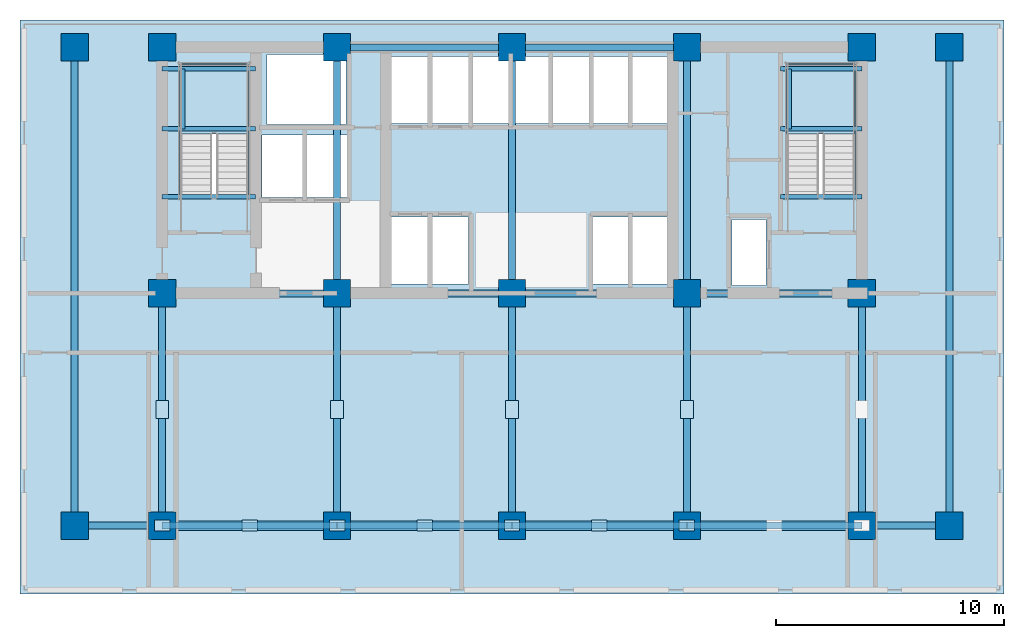
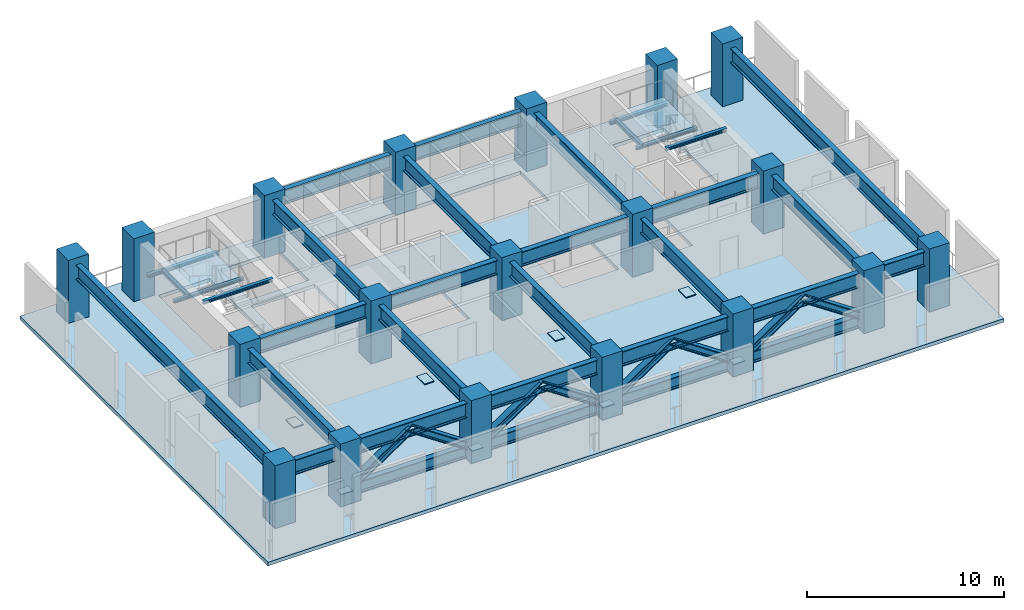
# One storey, part 1 of 7: 30 beams, 19 columns, 12 members, 11 plates, 3 slabs, 2 elements without a shape of their own.
"""IFC4 building model written with IfcOpenShell, lengths in metres."""

from ifc_helpers import new_model, si_unit, direction, frame, origin, origin_2d, place, context, subcontext, project, spatial, polyline, rectangle, i_section, outline, extrude, material, layer, layer_set, material_profile, profile_set, type_object, element, aggregate, save


model = new_model("IFC4")

# Units and contexts
model_context = context("Model", 3, precision=1e-05, world=origin(), true_north=direction((0.0, 1.0)))
body_context = subcontext(model_context, "Body", "Model", "MODEL_VIEW")
ifc_project = project(units=[si_unit("LENGTHUNIT", "METRE"), si_unit("AREAUNIT", "SQUARE_METRE"), si_unit("VOLUMEUNIT", "CUBIC_METRE"), si_unit("PLANEANGLEUNIT", "RADIAN"), si_unit("MASSUNIT", "GRAM", prefix="KILO")], contexts=[model_context])

# Site, building, storey
site_placement = place(None, origin())
site = spatial("IfcSite", under=ifc_project, at=site_placement, CompositionType="ELEMENT")
building_placement = place(site_placement, origin())
building = spatial("IfcBuilding", under=site, at=building_placement, Name="Yelkora Congress Tower", CompositionType="ELEMENT")
storey_placement = place(building_placement, frame((0.0, 0.0, 81.89990234375)))
storey = spatial("IfcBuildingStorey", under=building, at=storey_placement, Name="L21", CompositionType="ELEMENT", Elevation=81.89990234375)

# Columns
ifc_material_1 = material(Name="Concrete C60/75", Category="concrete")
ifc_material_profile_1 = material_profile(ifc_material_1, rectangle(XDim=1.199951171875, YDim=1.199951171875, at=origin_2d()), Name="RC 1200x1200")
ifc_profile_set_1 = profile_set([ifc_material_profile_1], Name="Concrete C60/75")
column_type = type_object("IfcColumnType", Name="COL-RC-1200", PredefinedType="COLUMN", material=ifc_profile_set_1)
for number, where, z_axis, x_axis, name in (
    (1, (23.0400390625, 35.39990234375, 0.0), (0.0, 0.0, 1.0), (1.0, 0.0, 0.0), "L21 Mega Column MC-S1"),
    (2, (23.0400390625, 46.199951171875, 0.0), (0.0, 0.0, 1.0), (1.0, 0.0, 0.0), "L21 Mega Column MC-N1"),
    (3, (23.0400390625, 25.199951171875, 0.0), (0.0, 0.0, 1.0), (1.0, 0.0, 0.0), "L21 Mega Column MC-D1"),
    (4, (30.719970703125, 35.39990234375, 0.0), (0.0, 0.0, 1.0), (1.0, 0.0, 0.0), "L21 Mega Column MC-S2"),
    (5, (30.719970703125, 46.199951171875, 0.0), (0.0, 0.0, 1.0), (1.0, 0.0, 0.0), "L21 Mega Column MC-N2"),
    (6, (30.719970703125, 25.199951171875, 0.0), (0.0, 0.0, 1.0), (1.0, 0.0, 0.0), "L21 Mega Column MC-D2"),
    (7, (38.39990234375, 35.39990234375, 0.0), (0.0, 0.0, 1.0), (1.0, 0.0, 0.0), "L21 Mega Column MC-S3"),
    (8, (38.39990234375, 46.199951171875, 0.0), (0.0, 0.0, 1.0), (1.0, 0.0, 0.0), "L21 Mega Column MC-N3"),
    (9, (38.39990234375, 25.199951171875, 0.0), (0.0, 0.0, 1.0), (1.0, 0.0, 0.0), "L21 Mega Column MC-D3"),
    (10, (46.080078125, 35.39990234375, 0.0), (0.0, 0.0, 1.0), (1.0, 0.0, 0.0), "L21 Mega Column MC-S4"),
    (11, (46.080078125, 46.199951171875, 0.0), (0.0, 0.0, 1.0), (1.0, 0.0, 0.0), "L21 Mega Column MC-N4"),
    (12, (46.080078125, 25.199951171875, 0.0), (0.0, 0.0, 1.0), (1.0, 0.0, 0.0), "L21 Mega Column MC-D4"),
    (13, (53.760009765625, 35.39990234375, 0.0), (0.0, 0.0, 1.0), (1.0, 0.0, 0.0), "L21 Mega Column MC-S5"),
    (14, (53.760009765625, 46.199951171875, 0.0), (0.0, 0.0, 1.0), (1.0, 0.0, 0.0), "L21 Mega Column MC-N5"),
    (15, (53.760009765625, 25.199951171875, 0.0), (0.0, 0.0, 1.0), (1.0, 0.0, 0.0), "L21 Mega Column MC-D5"),
    (16, (19.199951171875, 25.199951171875, 0.0), (0.0, 0.0, 1.0), (1.0, 0.0, 0.0), "L21 Mega Column MC-F1"),
    (17, (57.60009765625, 25.199951171875, 0.0), (0.0, 0.0, 1.0), (1.0, 0.0, 0.0), "L21 Mega Column MC-F2"),
    (18, (19.199951171875, 46.199951171875, 0.0), (0.0, 0.0, 1.0), (1.0, 0.0, 0.0), "L21 Mega Column MC-F3"),
    (19, (57.60009765625, 46.199951171875, 0.0), (0.0, 0.0, 1.0), (1.0, 0.0, 0.0), "L21 Mega Column MC-F4"),
):
    element("IfcColumn", number, at=place(storey_placement, frame(where, z_axis=z_axis, x_axis=x_axis)), inside=storey, type_object=column_type, Name=name, PredefinedType="COLUMN", context=body_context, shape_type="SweptSolid", body=[
        extrude(rectangle(XDim=1.199951171875, YDim=1.199951171875, at=origin_2d()), origin(), (0.0, 0.0, 1.0), 3.900146484375),
    ])

# Beams
ifc_material_2 = material(Name="Steel S355J2", Category="steel")
ifc_material_profile_2 = material_profile(ifc_material_2, i_section(OverallWidth=0.199951171875, OverallDepth=0.18994140625, WebThickness=0.006591796875, FlangeThickness=0.010009765625, FilletRadius=0.01806640625, at=origin_2d()), Name="HEA 200")
ifc_profile_set_2 = profile_set([ifc_material_profile_2], Name="Steel S355J2")
beam_type_1 = type_object("IfcBeamType", Name="BM-LAND-HEA200", PredefinedType="BEAM", material=ifc_profile_set_2)
for number, where, z_axis, x_axis, name in (
    (20, (23.0400390625, 42.6201171875, 1.634765625), (1.0, 0.0, 0.0), (0.0, 1.0, 0.0), "ST-01 L21 Landing Header Beam 1S"),
    (21, (23.0400390625, 45.25, 1.634765625), (1.0, 0.0, 0.0), (0.0, 1.0, 0.0), "ST-01 L21 Landing Header Beam 1N"),
):
    element("IfcBeam", number, at=place(storey_placement, frame(where, z_axis=z_axis, x_axis=x_axis)), inside=storey, type_object=beam_type_1, Name=name, PredefinedType="BEAM", context=body_context, shape_type="SweptSolid", body=[
        extrude(i_section(OverallWidth=0.199951171875, OverallDepth=0.18994140625, WebThickness=0.006591796875, FlangeThickness=0.010009765625, FilletRadius=0.01806640625, at=origin_2d()), origin(), (0.0, 0.0, 1.0), 4.10986328125),
    ])
beam_1_placement = place(storey_placement, frame((23.93994140625, 42.6201171875, 1.634765625), z_axis=(0.0, 1.0, 0.0), x_axis=(-1.0, 0.0, 0.0)))
element("IfcBeam", 22, at=beam_1_placement, inside=storey, type_object=beam_type_1, Name="ST-01 L21 Landing Trimmer Beam 1M", PredefinedType="BEAM", context=body_context, shape_type="SweptSolid", body=[
    extrude(i_section(OverallWidth=0.199951171875, OverallDepth=0.18994140625, WebThickness=0.006591796875, FlangeThickness=0.010009765625, FilletRadius=0.01806640625, at=origin_2d()), origin(), (0.0, 0.0, 1.0), 2.6298828125),
])
beam_2_placement = place(storey_placement, frame((23.0400390625, 39.639892578125, 3.384765625), z_axis=(1.0, 0.0, 0.0), x_axis=(0.0, 1.0, 0.0)))
element("IfcBeam", 23, at=beam_2_placement, inside=storey, type_object=beam_type_1, Name="ST-01 L21 Floor Arrival Stringer Header Beam", PredefinedType="BEAM", context=body_context, shape_type="SweptSolid", body=[
    extrude(i_section(OverallWidth=0.199951171875, OverallDepth=0.18994140625, WebThickness=0.006591796875, FlangeThickness=0.010009765625, FilletRadius=0.01806640625, at=origin_2d()), origin(), (0.0, 0.0, 1.0), 4.10986328125),
])
for number, where, z_axis, x_axis, name in (
    (24, (50.179931640625, 42.6201171875, 1.634765625), (1.0, 0.0, 0.0), (0.0, 1.0, 0.0), "ST-02 L21 Landing Header Beam 1S"),
    (25, (50.179931640625, 45.25, 1.634765625), (1.0, 0.0, 0.0), (0.0, 1.0, 0.0), "ST-02 L21 Landing Header Beam 1N"),
):
    element("IfcBeam", number, at=place(storey_placement, frame(where, z_axis=z_axis, x_axis=x_axis)), inside=storey, type_object=beam_type_1, Name=name, PredefinedType="BEAM", context=body_context, shape_type="SweptSolid", body=[
        extrude(i_section(OverallWidth=0.199951171875, OverallDepth=0.18994140625, WebThickness=0.006591796875, FlangeThickness=0.010009765625, FilletRadius=0.01806640625, at=origin_2d()), origin(), (0.0, 0.0, 1.0), 3.580078125),
    ])
beam_3_placement = place(storey_placement, frame((50.580078125, 42.6201171875, 1.634765625), z_axis=(0.0, 1.0, 0.0), x_axis=(-1.0, 0.0, 0.0)))
element("IfcBeam", 26, at=beam_3_placement, inside=storey, type_object=beam_type_1, Name="ST-02 L21 Landing Trimmer Beam 1M", PredefinedType="BEAM", context=body_context, shape_type="SweptSolid", body=[
    extrude(i_section(OverallWidth=0.199951171875, OverallDepth=0.18994140625, WebThickness=0.006591796875, FlangeThickness=0.010009765625, FilletRadius=0.01806640625, at=origin_2d()), origin(), (0.0, 0.0, 1.0), 2.6298828125),
])
beam_4_placement = place(storey_placement, frame((50.179931640625, 39.639892578125, 3.384765625), z_axis=(1.0, 0.0, 0.0), x_axis=(0.0, 1.0, 0.0)))
element("IfcBeam", 27, at=beam_4_placement, inside=storey, type_object=beam_type_1, Name="ST-02 L21 Floor Arrival Stringer Header Beam", PredefinedType="BEAM", context=body_context, shape_type="SweptSolid", body=[
    extrude(i_section(OverallWidth=0.199951171875, OverallDepth=0.18994140625, WebThickness=0.006591796875, FlangeThickness=0.010009765625, FilletRadius=0.01806640625, at=origin_2d()), origin(), (0.0, 0.0, 1.0), 3.580078125),
])
ifc_material_3 = material(Name="Steel S460M", Category="steel")
ifc_material_profile_3 = material_profile(ifc_material_3, i_section(OverallWidth=0.302001953125, OverallDepth=0.909912109375, WebThickness=0.02099609375, FlangeThickness=0.0400390625, FilletRadius=0.030029296875, at=origin_2d()), Name="HEM 900")
ifc_profile_set_3 = profile_set([ifc_material_profile_3], Name="Steel S460M")
beam_type_2 = type_object("IfcBeamType", Name="BM-XFER-HEM900", PredefinedType="BEAM", material=ifc_profile_set_3)
beam_5_placement = place(storey_placement, frame((19.199951171875, 25.199951171875, 3.025146484375), z_axis=(1.0, 0.0, 0.0), x_axis=(0.0, 1.0, 0.0)))
element("IfcBeam", 28, at=beam_5_placement, inside=storey, type_object=beam_type_2, Name="L21 Spine Grid D Girder 1", PredefinedType="BEAM", context=body_context, shape_type="SweptSolid", body=[
    extrude(i_section(OverallWidth=0.302001953125, OverallDepth=0.909912109375, WebThickness=0.02099609375, FlangeThickness=0.0400390625, FilletRadius=0.030029296875, at=origin_2d()), origin(), (0.0, 0.0, 1.0), 3.840087890625),
])
for number, where, z_axis, x_axis, name in (
    (29, (23.0400390625, 25.199951171875, 3.025146484375), (1.0, 0.0, 0.0), (0.0, 1.0, 0.0), "L21 Spine Grid D Girder 2"),
    (30, (30.719970703125, 25.199951171875, 3.025146484375), (1.0, 0.0, 0.0), (0.0, 1.0, 0.0), "L21 Spine Grid D Girder 3"),
):
    element("IfcBeam", number, at=place(storey_placement, frame(where, z_axis=z_axis, x_axis=x_axis)), inside=storey, type_object=beam_type_2, Name=name, PredefinedType="BEAM", context=body_context, shape_type="SweptSolid", body=[
        extrude(i_section(OverallWidth=0.302001953125, OverallDepth=0.909912109375, WebThickness=0.02099609375, FlangeThickness=0.0400390625, FilletRadius=0.030029296875, at=origin_2d()), origin(), (0.0, 0.0, 1.0), 7.679931640625),
    ])
beam_6_placement = place(storey_placement, frame((38.39990234375, 25.199951171875, 3.025146484375), z_axis=(1.0, 0.0, 0.0), x_axis=(0.0, 1.0, 0.0)))
element("IfcBeam", 31, at=beam_6_placement, inside=storey, type_object=beam_type_2, Name="L21 Spine Grid D Girder 4", PredefinedType="BEAM", context=body_context, shape_type="SweptSolid", body=[
    extrude(i_section(OverallWidth=0.302001953125, OverallDepth=0.909912109375, WebThickness=0.02099609375, FlangeThickness=0.0400390625, FilletRadius=0.030029296875, at=origin_2d()), origin(), (0.0, 0.0, 1.0), 7.68017578125),
])
beam_7_placement = place(storey_placement, frame((46.080078125, 25.199951171875, 3.025146484375), z_axis=(1.0, 0.0, 0.0), x_axis=(0.0, 1.0, 0.0)))
element("IfcBeam", 32, at=beam_7_placement, inside=storey, type_object=beam_type_2, Name="L21 Spine Grid D Girder 5", PredefinedType="BEAM", context=body_context, shape_type="SweptSolid", body=[
    extrude(i_section(OverallWidth=0.302001953125, OverallDepth=0.909912109375, WebThickness=0.02099609375, FlangeThickness=0.0400390625, FilletRadius=0.030029296875, at=origin_2d()), origin(), (0.0, 0.0, 1.0), 7.679931640625),
])
beam_8_placement = place(storey_placement, frame((53.760009765625, 25.199951171875, 3.025146484375), z_axis=(1.0, 0.0, 0.0), x_axis=(0.0, 1.0, 0.0)))
element("IfcBeam", 33, at=beam_8_placement, inside=storey, type_object=beam_type_2, Name="L21 Spine Grid D Girder 6", PredefinedType="BEAM", context=body_context, shape_type="SweptSolid", body=[
    extrude(i_section(OverallWidth=0.302001953125, OverallDepth=0.909912109375, WebThickness=0.02099609375, FlangeThickness=0.0400390625, FilletRadius=0.030029296875, at=origin_2d()), origin(), (0.0, 0.0, 1.0), 3.840087890625),
])
beam_9_placement = place(storey_placement, frame((30.719970703125, 46.199951171875, 3.025146484375), z_axis=(1.0, 0.0, 0.0), x_axis=(0.0, 1.0, 0.0)))
element("IfcBeam", 34, at=beam_9_placement, inside=storey, type_object=beam_type_2, Name="L21 Core North Girder 3", PredefinedType="BEAM", context=body_context, shape_type="SweptSolid", body=[
    extrude(i_section(OverallWidth=0.302001953125, OverallDepth=0.909912109375, WebThickness=0.02099609375, FlangeThickness=0.0400390625, FilletRadius=0.030029296875, at=origin_2d()), origin(), (0.0, 0.0, 1.0), 7.679931640625),
])
beam_10_placement = place(storey_placement, frame((38.39990234375, 46.199951171875, 3.025146484375), z_axis=(1.0, 0.0, 0.0), x_axis=(0.0, 1.0, 0.0)))
element("IfcBeam", 35, at=beam_10_placement, inside=storey, type_object=beam_type_2, Name="L21 Core North Girder 4", PredefinedType="BEAM", context=body_context, shape_type="SweptSolid", body=[
    extrude(i_section(OverallWidth=0.302001953125, OverallDepth=0.909912109375, WebThickness=0.02099609375, FlangeThickness=0.0400390625, FilletRadius=0.030029296875, at=origin_2d()), origin(), (0.0, 0.0, 1.0), 7.68017578125),
])
for number, where, z_axis, x_axis, name in (
    (36, (23.0400390625, 35.39990234375, 3.025146484375), (1.0, 0.0, 0.0), (0.0, 1.0, 0.0), "L21 Core South Girder 1"),
    (37, (30.719970703125, 35.39990234375, 3.025146484375), (1.0, 0.0, 0.0), (0.0, 1.0, 0.0), "L21 Core South Girder 2"),
):
    element("IfcBeam", number, at=place(storey_placement, frame(where, z_axis=z_axis, x_axis=x_axis)), inside=storey, type_object=beam_type_2, Name=name, PredefinedType="BEAM", context=body_context, shape_type="SweptSolid", body=[
        extrude(i_section(OverallWidth=0.302001953125, OverallDepth=0.909912109375, WebThickness=0.02099609375, FlangeThickness=0.0400390625, FilletRadius=0.030029296875, at=origin_2d()), origin(), (0.0, 0.0, 1.0), 7.679931640625),
    ])
beam_11_placement = place(storey_placement, frame((38.39990234375, 35.39990234375, 3.025146484375), z_axis=(1.0, 0.0, 0.0), x_axis=(0.0, 1.0, 0.0)))
element("IfcBeam", 38, at=beam_11_placement, inside=storey, type_object=beam_type_2, Name="L21 Core South Girder 3", PredefinedType="BEAM", context=body_context, shape_type="SweptSolid", body=[
    extrude(i_section(OverallWidth=0.302001953125, OverallDepth=0.909912109375, WebThickness=0.02099609375, FlangeThickness=0.0400390625, FilletRadius=0.030029296875, at=origin_2d()), origin(), (0.0, 0.0, 1.0), 7.68017578125),
])
beam_12_placement = place(storey_placement, frame((46.080078125, 35.39990234375, 3.025146484375), z_axis=(1.0, 0.0, 0.0), x_axis=(0.0, 1.0, 0.0)))
element("IfcBeam", 39, at=beam_12_placement, inside=storey, type_object=beam_type_2, Name="L21 Core South Girder 4", PredefinedType="BEAM", context=body_context, shape_type="SweptSolid", body=[
    extrude(i_section(OverallWidth=0.302001953125, OverallDepth=0.909912109375, WebThickness=0.02099609375, FlangeThickness=0.0400390625, FilletRadius=0.030029296875, at=origin_2d()), origin(), (0.0, 0.0, 1.0), 7.679931640625),
])
for number, where, z_axis, x_axis, name in (
    (40, (23.0400390625, 25.199951171875, 3.025146484375), (0.0, 1.0, 0.0), (-1.0, 0.0, 0.0), "L21 Core Tie Girder MC-D1"),
    (41, (30.719970703125, 25.199951171875, 3.025146484375), (0.0, 1.0, 0.0), (-1.0, 0.0, 0.0), "L21 Core Tie Girder MC-D2"),
):
    element("IfcBeam", number, at=place(storey_placement, frame(where, z_axis=z_axis, x_axis=x_axis)), inside=storey, type_object=beam_type_2, Name=name, PredefinedType="BEAM", context=body_context, shape_type="SweptSolid", body=[
        extrude(i_section(OverallWidth=0.302001953125, OverallDepth=0.909912109375, WebThickness=0.02099609375, FlangeThickness=0.0400390625, FilletRadius=0.030029296875, at=origin_2d()), origin(), (0.0, 0.0, 1.0), 10.199951171875),
    ])
beam_13_placement = place(storey_placement, frame((30.719970703125, 35.39990234375, 3.025146484375), z_axis=(0.0, 1.0, 0.0), x_axis=(-1.0, 0.0, 0.0)))
element("IfcBeam", 42, at=beam_13_placement, inside=storey, type_object=beam_type_2, Name="L21 Core Tie Girder MC-S2", PredefinedType="BEAM", context=body_context, shape_type="SweptSolid", body=[
    extrude(i_section(OverallWidth=0.302001953125, OverallDepth=0.909912109375, WebThickness=0.02099609375, FlangeThickness=0.0400390625, FilletRadius=0.030029296875, at=origin_2d()), origin(), (0.0, 0.0, 1.0), 10.800048828125),
])
beam_14_placement = place(storey_placement, frame((38.39990234375, 25.199951171875, 3.025146484375), z_axis=(0.0, 1.0, 0.0), x_axis=(-1.0, 0.0, 0.0)))
element("IfcBeam", 43, at=beam_14_placement, inside=storey, type_object=beam_type_2, Name="L21 Core Tie Girder MC-D3", PredefinedType="BEAM", context=body_context, shape_type="SweptSolid", body=[
    extrude(i_section(OverallWidth=0.302001953125, OverallDepth=0.909912109375, WebThickness=0.02099609375, FlangeThickness=0.0400390625, FilletRadius=0.030029296875, at=origin_2d()), origin(), (0.0, 0.0, 1.0), 10.199951171875),
])
beam_15_placement = place(storey_placement, frame((38.39990234375, 35.39990234375, 3.025146484375), z_axis=(0.0, 1.0, 0.0), x_axis=(-1.0, 0.0, 0.0)))
element("IfcBeam", 44, at=beam_15_placement, inside=storey, type_object=beam_type_2, Name="L21 Core Tie Girder MC-S3", PredefinedType="BEAM", context=body_context, shape_type="SweptSolid", body=[
    extrude(i_section(OverallWidth=0.302001953125, OverallDepth=0.909912109375, WebThickness=0.02099609375, FlangeThickness=0.0400390625, FilletRadius=0.030029296875, at=origin_2d()), origin(), (0.0, 0.0, 1.0), 10.800048828125),
])
beam_16_placement = place(storey_placement, frame((46.080078125, 25.199951171875, 3.025146484375), z_axis=(0.0, 1.0, 0.0), x_axis=(-1.0, 0.0, 0.0)))
element("IfcBeam", 45, at=beam_16_placement, inside=storey, type_object=beam_type_2, Name="L21 Core Tie Girder MC-D4", PredefinedType="BEAM", context=body_context, shape_type="SweptSolid", body=[
    extrude(i_section(OverallWidth=0.302001953125, OverallDepth=0.909912109375, WebThickness=0.02099609375, FlangeThickness=0.0400390625, FilletRadius=0.030029296875, at=origin_2d()), origin(), (0.0, 0.0, 1.0), 10.199951171875),
])
beam_17_placement = place(storey_placement, frame((46.080078125, 35.39990234375, 3.025146484375), z_axis=(0.0, 1.0, 0.0), x_axis=(-1.0, 0.0, 0.0)))
element("IfcBeam", 46, at=beam_17_placement, inside=storey, type_object=beam_type_2, Name="L21 Core Tie Girder MC-S4", PredefinedType="BEAM", context=body_context, shape_type="SweptSolid", body=[
    extrude(i_section(OverallWidth=0.302001953125, OverallDepth=0.909912109375, WebThickness=0.02099609375, FlangeThickness=0.0400390625, FilletRadius=0.030029296875, at=origin_2d()), origin(), (0.0, 0.0, 1.0), 10.800048828125),
])
beam_18_placement = place(storey_placement, frame((53.760009765625, 25.199951171875, 3.025146484375), z_axis=(0.0, 1.0, 0.0), x_axis=(-1.0, 0.0, 0.0)))
element("IfcBeam", 47, at=beam_18_placement, inside=storey, type_object=beam_type_2, Name="L21 Core Tie Girder MC-D5", PredefinedType="BEAM", context=body_context, shape_type="SweptSolid", body=[
    extrude(i_section(OverallWidth=0.302001953125, OverallDepth=0.909912109375, WebThickness=0.02099609375, FlangeThickness=0.0400390625, FilletRadius=0.030029296875, at=origin_2d()), origin(), (0.0, 0.0, 1.0), 10.199951171875),
])
for number, where, z_axis, x_axis, name in (
    (48, (19.199951171875, 25.199951171875, 3.025146484375), (0.0, 1.0, 0.0), (-1.0, 0.0, 0.0), "L21 Neck Flank Girder MC-F1"),
    (49, (57.60009765625, 25.199951171875, 3.025146484375), (0.0, 1.0, 0.0), (-1.0, 0.0, 0.0), "L21 Neck Flank Girder MC-F2"),
):
    element("IfcBeam", number, at=place(storey_placement, frame(where, z_axis=z_axis, x_axis=x_axis)), inside=storey, type_object=beam_type_2, Name=name, PredefinedType="BEAM", context=body_context, shape_type="SweptSolid", body=[
        extrude(i_section(OverallWidth=0.302001953125, OverallDepth=0.909912109375, WebThickness=0.02099609375, FlangeThickness=0.0400390625, FilletRadius=0.030029296875, at=origin_2d()), origin(), (0.0, 0.0, 1.0), 21.0),
    ])

# Members
ifc_material_profile_4 = material_profile(ifc_material_3, i_section(OverallWidth=0.406005859375, OverallDepth=0.416015625, WebThickness=0.02978515625, FlangeThickness=0.048095703125, FilletRadius=0.014892578125, at=origin_2d()), Name="HD 400x382")
ifc_profile_set_4 = profile_set([ifc_material_profile_4], Name="Steel S460M")
member_type_1 = type_object("IfcMemberType", Name="MEM-BRACE-HD382", PredefinedType="BRACE", material=ifc_profile_set_4)
member_1_placement = place(storey_placement, frame((23.0400390625, 25.199951171875, 0.4501953125), z_axis=(0.830055707329, 0.0, 0.557680484445), x_axis=(0.0, 1.0, 0.0)))
element("IfcMember", 50, at=member_1_placement, inside=storey, type_object=member_type_1, Name="N1 L21 Outrigger Belt Diagonal 1A", PredefinedType="BRACE", context=body_context, shape_type="SweptSolid", body=[
    extrude(i_section(OverallWidth=0.406005859375, OverallDepth=0.416015625, WebThickness=0.02978515625, FlangeThickness=0.048095703125, FilletRadius=0.014892578125, at=origin_2d()), origin(), (0.0, 0.0, 1.0), 4.6259765625),
])
for number, where, z_axis, x_axis, name in (
    (51, (30.719970703125, 25.199951171875, 0.4501953125), (-0.83007211988, 0.0, 0.557656055107), (0.0, -1.0, 0.0), "N1 L21 Outrigger Belt Diagonal 1B"),
    (52, (30.719970703125, 25.199951171875, 0.4501953125), (0.83007211988, 0.0, 0.557656055107), (0.0, 1.0, 0.0), "N1 L21 Outrigger Belt Diagonal 2A"),
):
    element("IfcMember", number, at=place(storey_placement, frame(where, z_axis=z_axis, x_axis=x_axis)), inside=storey, type_object=member_type_1, Name=name, PredefinedType="BRACE", context=body_context, shape_type="SweptSolid", body=[
        extrude(i_section(OverallWidth=0.406005859375, OverallDepth=0.416015625, WebThickness=0.02978515625, FlangeThickness=0.048095703125, FilletRadius=0.014892578125, at=origin_2d()), origin(), (0.0, 0.0, 1.0), 4.626220703125),
    ])
member_2_placement = place(storey_placement, frame((38.39990234375, 25.199951171875, 0.4501953125), z_axis=(-0.830055707329, 0.0, 0.557680484445), x_axis=(0.0, -1.0, 0.0)))
element("IfcMember", 53, at=member_2_placement, inside=storey, type_object=member_type_1, Name="N1 L21 Outrigger Belt Diagonal 2B", PredefinedType="BRACE", context=body_context, shape_type="SweptSolid", body=[
    extrude(i_section(OverallWidth=0.406005859375, OverallDepth=0.416015625, WebThickness=0.02978515625, FlangeThickness=0.048095703125, FilletRadius=0.014892578125, at=origin_2d()), origin(), (0.0, 0.0, 1.0), 4.6259765625),
])
for number, where, z_axis, x_axis, name in (
    (54, (38.39990234375, 25.199951171875, 0.4501953125), (0.83007211988, 0.0, 0.557656055107), (0.0, 1.0, 0.0), "N1 L21 Outrigger Belt Diagonal 3A"),
    (55, (46.080078125, 25.199951171875, 0.4501953125), (-0.83007211988, 0.0, 0.557656055107), (0.0, -1.0, 0.0), "N1 L21 Outrigger Belt Diagonal 3B"),
):
    element("IfcMember", number, at=place(storey_placement, frame(where, z_axis=z_axis, x_axis=x_axis)), inside=storey, type_object=member_type_1, Name=name, PredefinedType="BRACE", context=body_context, shape_type="SweptSolid", body=[
        extrude(i_section(OverallWidth=0.406005859375, OverallDepth=0.416015625, WebThickness=0.02978515625, FlangeThickness=0.048095703125, FilletRadius=0.014892578125, at=origin_2d()), origin(), (0.0, 0.0, 1.0), 4.626220703125),
    ])
member_3_placement = place(storey_placement, frame((46.080078125, 25.199951171875, 0.4501953125), z_axis=(0.830055707329, 0.0, 0.557680484445), x_axis=(0.0, 1.0, 0.0)))
element("IfcMember", 56, at=member_3_placement, inside=storey, type_object=member_type_1, Name="N1 L21 Outrigger Belt Diagonal 4A", PredefinedType="BRACE", context=body_context, shape_type="SweptSolid", body=[
    extrude(i_section(OverallWidth=0.406005859375, OverallDepth=0.416015625, WebThickness=0.02978515625, FlangeThickness=0.048095703125, FilletRadius=0.014892578125, at=origin_2d()), origin(), (0.0, 0.0, 1.0), 4.6259765625),
])
member_4_placement = place(storey_placement, frame((53.760009765625, 25.199951171875, 0.4501953125), z_axis=(-0.83007211988, 0.0, 0.557656055107), x_axis=(0.0, -1.0, 0.0)))
element("IfcMember", 57, at=member_4_placement, inside=storey, type_object=member_type_1, Name="N1 L21 Outrigger Belt Diagonal 4B", PredefinedType="BRACE", context=body_context, shape_type="SweptSolid", body=[
    extrude(i_section(OverallWidth=0.406005859375, OverallDepth=0.416015625, WebThickness=0.02978515625, FlangeThickness=0.048095703125, FilletRadius=0.014892578125, at=origin_2d()), origin(), (0.0, 0.0, 1.0), 4.626220703125),
])
ifc_material_profile_5 = material_profile(ifc_material_3, i_section(OverallWidth=0.303955078125, OverallDepth=0.716064453125, WebThickness=0.02099609375, FlangeThickness=0.0400390625, FilletRadius=0.027099609375, at=origin_2d()), Name="HEM 700")
ifc_profile_set_5 = profile_set([ifc_material_profile_5], Name="Steel S460M")
member_type_2 = type_object("IfcMemberType", Name="MEM-CHORD-HEM700", PredefinedType="CHORD", material=ifc_profile_set_5)
for number, where, z_axis, x_axis, name in (
    (58, (23.0400390625, 25.199951171875, 0.4501953125), (1.0, 0.0, 0.0), (0.0, 1.0, 0.0), "N1 L21 Belt Truss Chord 1"),
    (59, (30.719970703125, 25.199951171875, 0.4501953125), (1.0, 0.0, 0.0), (0.0, 1.0, 0.0), "N1 L21 Belt Truss Chord 2"),
):
    element("IfcMember", number, at=place(storey_placement, frame(where, z_axis=z_axis, x_axis=x_axis)), inside=storey, type_object=member_type_2, Name=name, PredefinedType="CHORD", context=body_context, shape_type="SweptSolid", body=[
        extrude(i_section(OverallWidth=0.303955078125, OverallDepth=0.716064453125, WebThickness=0.02099609375, FlangeThickness=0.0400390625, FilletRadius=0.027099609375, at=origin_2d()), origin(), (0.0, 0.0, 1.0), 7.679931640625),
    ])
member_5_placement = place(storey_placement, frame((38.39990234375, 25.199951171875, 0.4501953125), z_axis=(1.0, 0.0, 0.0), x_axis=(0.0, 1.0, 0.0)))
element("IfcMember", 60, at=member_5_placement, inside=storey, type_object=member_type_2, Name="N1 L21 Belt Truss Chord 3", PredefinedType="CHORD", context=body_context, shape_type="SweptSolid", body=[
    extrude(i_section(OverallWidth=0.303955078125, OverallDepth=0.716064453125, WebThickness=0.02099609375, FlangeThickness=0.0400390625, FilletRadius=0.027099609375, at=origin_2d()), origin(), (0.0, 0.0, 1.0), 7.68017578125),
])
member_6_placement = place(storey_placement, frame((46.080078125, 25.199951171875, 0.4501953125), z_axis=(1.0, 0.0, 0.0), x_axis=(0.0, 1.0, 0.0)))
element("IfcMember", 61, at=member_6_placement, inside=storey, type_object=member_type_2, Name="N1 L21 Belt Truss Chord 4", PredefinedType="CHORD", context=body_context, shape_type="SweptSolid", body=[
    extrude(i_section(OverallWidth=0.303955078125, OverallDepth=0.716064453125, WebThickness=0.02099609375, FlangeThickness=0.0400390625, FilletRadius=0.027099609375, at=origin_2d()), origin(), (0.0, 0.0, 1.0), 7.679931640625),
])

# Plates
ifc_layer_1 = layer(ifc_material_2, 0.050048828125)
ifc_layer_set_1 = layer_set([ifc_layer_1], Name="Steel S355J2")
plate_type_1 = type_object("IfcPlateType", Name="PLT-GUSSET-680x480", PredefinedType="USERDEFINED", material=ifc_layer_set_1)
for number, where, z_axis, x_axis, name in (
    (62, (26.8798828125, 25.199951171875, 3.0048828125), (0.0, 0.0, 1.0), (1.0, 0.0, 0.0), "N1 L21 Belt Truss Apex Gusset Plate 1"),
    (63, (23.0400390625, 25.199951171875, 0.42529296875), (0.0, 0.0, 1.0), (1.0, 0.0, 0.0), "N1 L21 Belt Truss Foot Gusset Plate 1L"),
    (64, (34.56005859375, 25.199951171875, 3.0048828125), (0.0, 0.0, 1.0), (1.0, 0.0, 0.0), "N1 L21 Belt Truss Apex Gusset Plate 2"),
    (65, (30.719970703125, 25.199951171875, 0.42529296875), (0.0, 0.0, 1.0), (1.0, 0.0, 0.0), "N1 L21 Belt Truss Foot Gusset Plate 2L"),
    (66, (42.239990234375, 25.199951171875, 3.0048828125), (0.0, 0.0, 1.0), (1.0, 0.0, 0.0), "N1 L21 Belt Truss Apex Gusset Plate 3"),
    (67, (38.39990234375, 25.199951171875, 0.42529296875), (0.0, 0.0, 1.0), (1.0, 0.0, 0.0), "N1 L21 Belt Truss Foot Gusset Plate 3L"),
    (68, (46.080078125, 25.199951171875, 0.42529296875), (0.0, 0.0, 1.0), (1.0, 0.0, 0.0), "N1 L21 Belt Truss Foot Gusset Plate 4L"),
):
    element("IfcPlate", number, at=place(storey_placement, frame(where, z_axis=z_axis, x_axis=x_axis)), inside=storey, type_object=plate_type_1, Name=name, ObjectType="GUSSET_PLATE", PredefinedType="USERDEFINED", context=body_context, shape_type="SweptSolid", body=[
        extrude(rectangle(XDim=0.679931640625, YDim=0.47998046875, at=origin_2d()), origin(), (0.0, 0.0, 1.0), 0.050048828125),
    ])
ifc_layer_2 = layer(ifc_material_3, 0.06005859375)
ifc_layer_set_2 = layer_set([ifc_layer_2], Name="Steel S460M")
plate_type_2 = type_object("IfcPlateType", Name="PLT-GUSSET-800x560", PredefinedType="USERDEFINED", material=ifc_layer_set_2)
for number, where, z_axis, x_axis, name in (
    (69, (23.0400390625, 30.300048828125, 1.56005859375), (0.0, 0.0, 1.0), (0.0, 1.0, 0.0), "N1 Outrigger X-Brace Crossing Gusset Plate 1"),
    (70, (30.719970703125, 30.300048828125, 1.56005859375), (0.0, 0.0, 1.0), (0.0, 1.0, 0.0), "N1 Outrigger X-Brace Crossing Gusset Plate 2"),
    (71, (38.39990234375, 30.300048828125, 1.56005859375), (0.0, 0.0, 1.0), (0.0, 1.0, 0.0), "N1 Outrigger X-Brace Crossing Gusset Plate 3"),
    (72, (46.080078125, 30.300048828125, 1.56005859375), (0.0, 0.0, 1.0), (0.0, 1.0, 0.0), "N1 Outrigger X-Brace Crossing Gusset Plate 4"),
):
    element("IfcPlate", number, at=place(storey_placement, frame(where, z_axis=z_axis, x_axis=x_axis)), inside=storey, type_object=plate_type_2, Name=name, ObjectType="GUSSET_PLATE", PredefinedType="USERDEFINED", context=body_context, shape_type="SweptSolid", body=[
        extrude(rectangle(XDim=0.800048828125, YDim=0.56005859375, at=origin_2d()), origin(), (0.0, 0.0, 1.0), 0.06005859375),
    ])

# Stair, slab
ifc_material_4 = material(Name="Concrete C40/50", Category="concrete")
stair_type = type_object("IfcStairType", Name="STAIR-HT-1420-R22-177", PredefinedType="HALF_TURN_STAIR", material=ifc_material_4)
stair_1_placement = place(storey_placement, origin())
stair_1 = element("IfcStair", 73, at=stair_1_placement, inside=storey, type_object=stair_type, Name="West Core Protected Exit Stair ST-01 (L21)", PredefinedType="HALF_TURN_STAIR")
ifc_layer_3 = layer(ifc_material_4, 0.219970703125)
ifc_layer_set_3 = layer_set([ifc_layer_3], Name="Concrete C40/50")
slab_type_1 = type_object("IfcSlabType", Name="SLAB-LANDING-220", PredefinedType="LANDING", material=ifc_layer_set_3)
slab_1_placement = place(storey_placement, frame((0.0, 0.0, 1.72998046875)))
slab_1 = element("IfcSlab", 74, at=slab_1_placement, type_object=slab_type_1, Name="ST-01 L21 Half Landing 1", PredefinedType="LANDING", context=body_context, shape_type="SweptSolid", body=[
    extrude(outline(polyline([(26.820068359375, 42.39990234375), (26.820068359375, 45.469970703125), (23.820068359375, 45.469970703125), (23.820068359375, 42.39990234375), (26.820068359375, 42.39990234375)])), origin(), (0.0, 0.0, 1.0), 0.22021484375),
])
aggregate(stair_1, [slab_1])

stair_2_placement = place(storey_placement, origin())
stair_2 = element("IfcStair", 75, at=stair_2_placement, inside=storey, type_object=stair_type, Name="East Core Protected Exit Stair ST-02 (L21)", PredefinedType="HALF_TURN_STAIR")
slab_2_placement = place(storey_placement, frame((0.0, 0.0, 1.72998046875)))
slab_2 = element("IfcSlab", 76, at=slab_2_placement, type_object=slab_type_1, Name="ST-02 L21 Half Landing 1", PredefinedType="LANDING", context=body_context, shape_type="SweptSolid", body=[
    extrude(outline(polyline([(53.4599609375, 42.39990234375), (53.4599609375, 45.469970703125), (50.4599609375, 45.469970703125), (50.4599609375, 42.39990234375), (53.4599609375, 42.39990234375)])), origin(), (0.0, 0.0, 1.0), 0.22021484375),
])
aggregate(stair_2, [slab_2])

# Slab
ifc_layer_4 = layer(ifc_material_4, 0.219970703125)
ifc_layer_set_4 = layer_set([ifc_layer_4], Name="Concrete C40/50")
slab_type_2 = type_object("IfcSlabType", Name="SLAB-TWR-220", PredefinedType="FLOOR", material=ifc_layer_set_4)
slab_3_placement = place(storey_placement, frame((0.0, 0.0, -0.219970703125)))
element("IfcSlab", 77, at=slab_3_placement, inside=storey, type_object=slab_type_2, Name="L21 Structural Floor Slab", PredefinedType="FLOOR", context=body_context, shape_type="SweptSolid", body=[
    extrude(outline(polyline([(16.800048828125, 22.199951171875), (60.0, 22.199951171875), (60.0, 47.39990234375), (16.800048828125, 47.39990234375), (16.800048828125, 22.199951171875)]), holes=[polyline([(23.820068359375, 39.6298828125), (26.820068359375, 39.6298828125), (26.820068359375, 45.469970703125), (23.820068359375, 45.469970703125), (23.820068359375, 39.6298828125)]), polyline([(50.4599609375, 39.6298828125), (53.4599609375, 39.6298828125), (53.4599609375, 45.469970703125), (50.4599609375, 45.469970703125), (50.4599609375, 39.6298828125)]), polyline([(48.050048828125, 35.75), (49.550048828125, 35.75), (49.550048828125, 38.64990234375), (48.050048828125, 38.64990234375), (48.050048828125, 35.75)]), polyline([(41.949951171875, 35.800048828125), (45.25, 35.800048828125), (45.25, 38.75), (41.949951171875, 38.75), (41.949951171875, 35.800048828125)]), polyline([(33.10009765625, 42.85009765625), (45.25, 42.85009765625), (45.25, 45.800048828125), (33.10009765625, 45.800048828125), (33.10009765625, 42.85009765625)]), polyline([(33.10009765625, 35.800048828125), (36.5, 35.800048828125), (36.5, 38.75), (33.10009765625, 38.75), (33.10009765625, 35.800048828125)]), polyline([(27.419921875, 39.60009765625), (31.179931640625, 39.60009765625), (31.179931640625, 42.35009765625), (27.419921875, 42.35009765625), (27.419921875, 39.60009765625)]), polyline([(27.64990234375, 42.820068359375), (31.1201171875, 42.820068359375), (31.1201171875, 45.8798828125), (27.64990234375, 45.8798828125), (27.64990234375, 42.820068359375)])]), origin(), (0.0, 0.0, 1.0), 0.219970703125),
])

save(model, "model.ifc")
